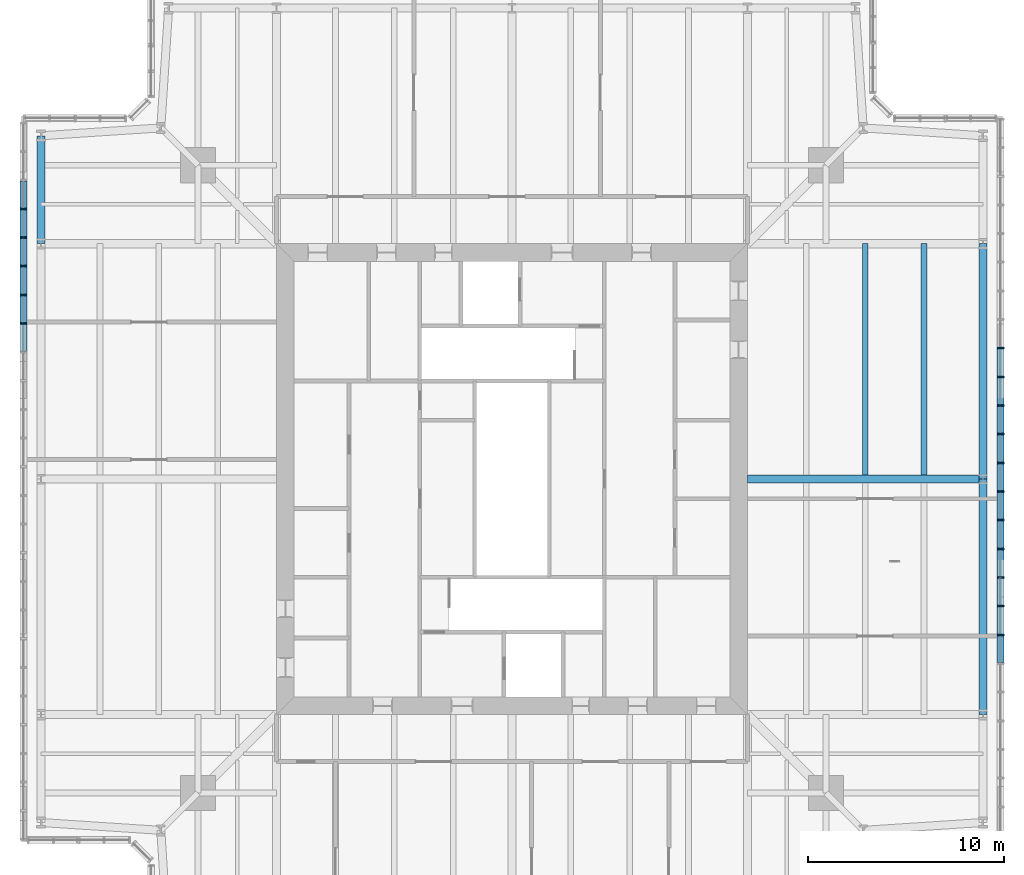
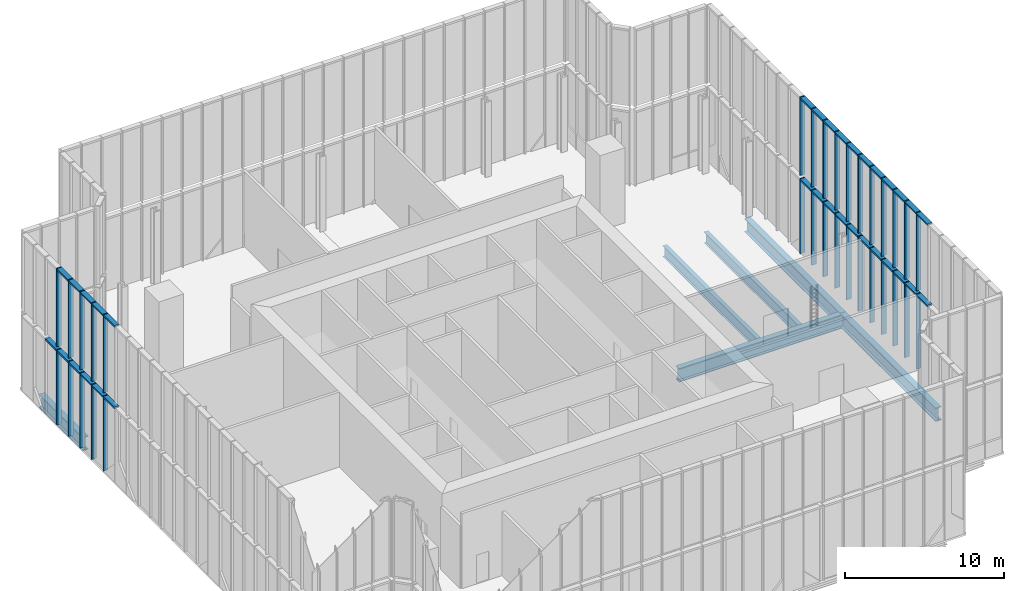
# One storey, part 7 of 25: 65 members, 6 beams, 4 elements without a shape of their own.
"""IFC4 building model written with IfcOpenShell, lengths in metres."""

from ifc_helpers import new_model, si_unit, direction, frame, origin, origin_2d, place, context, subcontext, project, spatial, rectangle, i_section, extrude, material, material_profile, profile_set, type_object, element, aggregate, save


model = new_model("IFC4")

# Units and contexts
model_context = context("Model", 3, precision=1e-05, world=origin(), true_north=direction((0.0, 1.0)))
body_context = subcontext(model_context, "Body", "Model", "MODEL_VIEW")
ifc_project = project(units=[si_unit("LENGTHUNIT", "METRE"), si_unit("AREAUNIT", "SQUARE_METRE"), si_unit("VOLUMEUNIT", "CUBIC_METRE"), si_unit("PLANEANGLEUNIT", "RADIAN"), si_unit("MASSUNIT", "GRAM", prefix="KILO")], contexts=[model_context])

# Site, building, storey
site_placement = place(None, origin())
site = spatial("IfcSite", under=ifc_project, at=site_placement, CompositionType="ELEMENT")
building_placement = place(site_placement, origin())
building = spatial("IfcBuilding", under=site, at=building_placement, Name="Fenwick Lantern Interchange", CompositionType="ELEMENT")
storey_placement = place(building_placement, frame((0.0, 0.0, 307.800048828125)))
storey = spatial("IfcBuildingStorey", under=building, at=storey_placement, Name="L74", CompositionType="ELEMENT", Elevation=307.800048828125)

# Beams
ifc_material_1 = material(Name="Steel ASTM A992 Grade 50", Category="steel")
ifc_material_profile_1 = material_profile(ifc_material_1, i_section(OverallWidth=0.408935546875, OverallDepth=1.04150390625, WebThickness=0.031005859375, FlangeThickness=0.055908203125, at=origin_2d()), Name="W40X397")
ifc_profile_set_1 = profile_set([ifc_material_profile_1], Name="Steel ASTM A992 Grade 50")
beam_type_1 = type_object("IfcBeamType", Name="EDGE BEAM W40X397", PredefinedType="SPANDREL", material=ifc_profile_set_1)
for number, where, z_axis, x_axis, name in (
    (1, (49.0, 13.0, -0.720703125), (0.0, 1.0, 0.0), (-1.0, 0.0, 0.0), "L74/FR/E/EB2"),
    (2, (49.0, 25.0, -0.720703125), (0.0, 1.0, 0.0), (-1.0, 0.0, 0.0), "L74/FR/E/EB3"),
):
    element("IfcBeam", number, at=place(storey_placement, frame(where, z_axis=z_axis, x_axis=x_axis)), inside=storey, type_object=beam_type_1, Name=name, PredefinedType="SPANDREL", context=body_context, shape_type="SweptSolid", body=[
        extrude(i_section(OverallWidth=0.408935546875, OverallDepth=1.04150390625, WebThickness=0.031005859375, FlangeThickness=0.055908203125, at=origin_2d()), origin(), (0.0, 0.0, 1.0), 12.0),
    ])
beam_1_placement = place(storey_placement, frame((1.0, 42.5, -0.720703125), z_axis=(0.0, -1.0, 0.0), x_axis=(1.0, 0.0, 0.0)))
element("IfcBeam", 3, at=beam_1_placement, inside=storey, type_object=beam_type_1, Name="L74/FR/W/EB1", PredefinedType="SPANDREL", context=body_context, shape_type="SweptSolid", body=[
    extrude(i_section(OverallWidth=0.408935546875, OverallDepth=1.04150390625, WebThickness=0.031005859375, FlangeThickness=0.055908203125, at=origin_2d()), origin(), (0.0, 0.0, 1.0), 5.5),
])
ifc_material_profile_2 = material_profile(ifc_material_1, i_section(OverallWidth=0.2919921875, OverallDepth=0.845703125, WebThickness=0.015380859375, FlangeThickness=0.0244140625, at=origin_2d()), Name="W33X141")
ifc_profile_set_2 = profile_set([ifc_material_profile_2], Name="Steel ASTM A992 Grade 50")
beam_type_2 = type_object("IfcBeamType", Name="FLOOR BEAM W33X141", PredefinedType="BEAM", material=ifc_profile_set_2)
for number, where, z_axis, x_axis, name in (
    (4, (46.0, 25.20458984375, -0.623046875), (0.0, 1.0, 0.0), (-1.0, 0.0, 0.0), "L74/FR/E/B04"),
    (5, (43.0, 25.20458984375, -0.623046875), (0.0, 1.0, 0.0), (-1.0, 0.0, 0.0), "L74/FR/E/B05"),
):
    element("IfcBeam", number, at=place(storey_placement, frame(where, z_axis=z_axis, x_axis=x_axis)), inside=storey, type_object=beam_type_2, Name=name, PredefinedType="BEAM", context=body_context, shape_type="SweptSolid", body=[
        extrude(i_section(OverallWidth=0.2919921875, OverallDepth=0.845703125, WebThickness=0.015380859375, FlangeThickness=0.0244140625, at=origin_2d()), origin(), (0.0, 0.0, 1.0), 11.79541015625),
    ])

# Curtain wall, members
ifc_material_2 = material(Name="Aluminium curtain wall frame", Category="aluminium")
curtain_wall_type = type_object("IfcCurtainWallType", Name="LANTERN GLAZING", PredefinedType="USERDEFINED", material=ifc_material_2)
curtain_wall_1_placement = place(storey_placement, origin())
curtain_wall_1 = element("IfcCurtainWall", 6, at=curtain_wall_1_placement, inside=storey, type_object=curtain_wall_type, Name="Lantern glazing 05", ObjectType="LANTERN GLAZING", PredefinedType="USERDEFINED")
ifc_material_3 = material(Name="Aluminium extrusion", Category="aluminium")
ifc_material_profile_3 = material_profile(ifc_material_3, rectangle(XDim=0.35009765625, YDim=0.080078125, at=origin_2d()), Name="LANTERN GLAZING MULLION 80 X 350")
ifc_profile_set_3 = profile_set([ifc_material_profile_3], Name="Aluminium extrusion")
member_type_1 = type_object("IfcMemberType", Name="LANTERN GLAZING MULLION 80 X 350", PredefinedType="MULLION", material=ifc_profile_set_3)
member_1_placement = place(storey_placement, frame((49.89990234375, 17.065673828125, 0.0), z_axis=(0.0, 0.0, 1.0), x_axis=(-1.0, 0.0, 0.0)))
member_1 = element("IfcMember", 7, at=member_1_placement, type_object=member_type_1, Name="L74/CW/05/M07", PredefinedType="MULLION", context=body_context, shape_type="SweptSolid", body=[
    extrude(rectangle(XDim=0.35009765625, YDim=0.080078125, at=origin_2d()), origin(), (0.0, 0.0, 1.0), 5.75),
])
member_2_placement = place(storey_placement, frame((49.89990234375, 18.5263671875, 0.0), z_axis=(0.0, 0.0, 1.0), x_axis=(-1.0, 0.0, 0.0)))
member_2 = element("IfcMember", 8, at=member_2_placement, type_object=member_type_1, Name="L74/CW/05/M08", PredefinedType="MULLION", context=body_context, shape_type="SweptSolid", body=[
    extrude(rectangle(XDim=0.35009765625, YDim=0.080078125, at=origin_2d()), origin(), (0.0, 0.0, 1.0), 5.75),
])
member_3_placement = place(storey_placement, frame((49.89990234375, 19.9873046875, 0.0), z_axis=(0.0, 0.0, 1.0), x_axis=(-1.0, 0.0, 0.0)))
member_3 = element("IfcMember", 9, at=member_3_placement, type_object=member_type_1, Name="L74/CW/05/M09", PredefinedType="MULLION", context=body_context, shape_type="SweptSolid", body=[
    extrude(rectangle(XDim=0.35009765625, YDim=0.080078125, at=origin_2d()), origin(), (0.0, 0.0, 1.0), 5.75),
])
member_4_placement = place(storey_placement, frame((49.89990234375, 21.447998046875, 0.0), z_axis=(0.0, 0.0, 1.0), x_axis=(-1.0, 0.0, 0.0)))
member_4 = element("IfcMember", 10, at=member_4_placement, type_object=member_type_1, Name="L74/CW/05/M10", PredefinedType="MULLION", context=body_context, shape_type="SweptSolid", body=[
    extrude(rectangle(XDim=0.35009765625, YDim=0.080078125, at=origin_2d()), origin(), (0.0, 0.0, 1.0), 5.75),
])
member_5_placement = place(storey_placement, frame((49.89990234375, 22.90869140625, 0.0), z_axis=(0.0, 0.0, 1.0), x_axis=(-1.0, 0.0, 0.0)))
member_5 = element("IfcMember", 11, at=member_5_placement, type_object=member_type_1, Name="L74/CW/05/M11", PredefinedType="MULLION", context=body_context, shape_type="SweptSolid", body=[
    extrude(rectangle(XDim=0.35009765625, YDim=0.080078125, at=origin_2d()), origin(), (0.0, 0.0, 1.0), 5.75),
])
member_6_placement = place(storey_placement, frame((49.89990234375, 24.36962890625, 0.0), z_axis=(0.0, 0.0, 1.0), x_axis=(-1.0, 0.0, 0.0)))
member_6 = element("IfcMember", 12, at=member_6_placement, type_object=member_type_1, Name="L74/CW/05/M12", PredefinedType="MULLION", context=body_context, shape_type="SweptSolid", body=[
    extrude(rectangle(XDim=0.35009765625, YDim=0.080078125, at=origin_2d()), origin(), (0.0, 0.0, 1.0), 5.75),
])
member_7_placement = place(storey_placement, frame((49.89990234375, 25.830322265625, 0.0), z_axis=(0.0, 0.0, 1.0), x_axis=(-1.0, 0.0, 0.0)))
member_7 = element("IfcMember", 13, at=member_7_placement, type_object=member_type_1, Name="L74/CW/05/M13", PredefinedType="MULLION", context=body_context, shape_type="SweptSolid", body=[
    extrude(rectangle(XDim=0.35009765625, YDim=0.080078125, at=origin_2d()), origin(), (0.0, 0.0, 1.0), 5.75),
])
member_8_placement = place(storey_placement, frame((49.89990234375, 27.291259765625, 0.0), z_axis=(0.0, 0.0, 1.0), x_axis=(-1.0, 0.0, 0.0)))
member_8 = element("IfcMember", 14, at=member_8_placement, type_object=member_type_1, Name="L74/CW/05/M14", PredefinedType="MULLION", context=body_context, shape_type="SweptSolid", body=[
    extrude(rectangle(XDim=0.35009765625, YDim=0.080078125, at=origin_2d()), origin(), (0.0, 0.0, 1.0), 5.75),
])
member_9_placement = place(storey_placement, frame((49.89990234375, 28.751953125, 0.0), z_axis=(0.0, 0.0, 1.0), x_axis=(-1.0, 0.0, 0.0)))
member_9 = element("IfcMember", 15, at=member_9_placement, type_object=member_type_1, Name="L74/CW/05/M15", PredefinedType="MULLION", context=body_context, shape_type="SweptSolid", body=[
    extrude(rectangle(XDim=0.35009765625, YDim=0.080078125, at=origin_2d()), origin(), (0.0, 0.0, 1.0), 5.75),
])
member_10_placement = place(storey_placement, frame((49.89990234375, 30.212890625, 0.0), z_axis=(0.0, 0.0, 1.0), x_axis=(-1.0, 0.0, 0.0)))
member_10 = element("IfcMember", 16, at=member_10_placement, type_object=member_type_1, Name="L74/CW/05/M16", PredefinedType="MULLION", context=body_context, shape_type="SweptSolid", body=[
    extrude(rectangle(XDim=0.35009765625, YDim=0.080078125, at=origin_2d()), origin(), (0.0, 0.0, 1.0), 5.75),
])
member_11_placement = place(storey_placement, frame((49.89990234375, 31.673583984375, 0.0), z_axis=(0.0, 0.0, 1.0), x_axis=(-1.0, 0.0, 0.0)))
member_11 = element("IfcMember", 17, at=member_11_placement, type_object=member_type_1, Name="L74/CW/05/M17", PredefinedType="MULLION", context=body_context, shape_type="SweptSolid", body=[
    extrude(rectangle(XDim=0.35009765625, YDim=0.080078125, at=origin_2d()), origin(), (0.0, 0.0, 1.0), 5.75),
])

curtain_wall_2_placement = place(storey_placement, origin())
curtain_wall_2 = element("IfcCurtainWall", 18, at=curtain_wall_2_placement, inside=storey, type_object=curtain_wall_type, Name="Lantern glazing 13", ObjectType="LANTERN GLAZING", PredefinedType="USERDEFINED")
member_12_placement = place(storey_placement, frame((0.10009765625, 38.777587890625, 0.0), z_axis=(0.0, 0.0, 1.0), x_axis=(1.0, 0.0, 0.0)))
member_12 = element("IfcMember", 19, at=member_12_placement, type_object=member_type_1, Name="L74/CW/13/M03", PredefinedType="MULLION", context=body_context, shape_type="SweptSolid", body=[
    extrude(rectangle(XDim=0.35009765625, YDim=0.080078125, at=origin_2d()), origin(), (0.0, 0.0, 1.0), 5.75),
])
member_13_placement = place(storey_placement, frame((0.10009765625, 37.31689453125, 0.0), z_axis=(0.0, 0.0, 1.0), x_axis=(1.0, 0.0, 0.0)))
member_13 = element("IfcMember", 20, at=member_13_placement, type_object=member_type_1, Name="L74/CW/13/M04", PredefinedType="MULLION", context=body_context, shape_type="SweptSolid", body=[
    extrude(rectangle(XDim=0.35009765625, YDim=0.080078125, at=origin_2d()), origin(), (0.0, 0.0, 1.0), 5.75),
])
member_14_placement = place(storey_placement, frame((0.10009765625, 35.85595703125, 0.0), z_axis=(0.0, 0.0, 1.0), x_axis=(1.0, 0.0, 0.0)))
member_14 = element("IfcMember", 21, at=member_14_placement, type_object=member_type_1, Name="L74/CW/13/M05", PredefinedType="MULLION", context=body_context, shape_type="SweptSolid", body=[
    extrude(rectangle(XDim=0.35009765625, YDim=0.080078125, at=origin_2d()), origin(), (0.0, 0.0, 1.0), 5.75),
])
member_15_placement = place(storey_placement, frame((0.10009765625, 34.395263671875, 0.0), z_axis=(0.0, 0.0, 1.0), x_axis=(1.0, 0.0, 0.0)))
member_15 = element("IfcMember", 22, at=member_15_placement, type_object=member_type_1, Name="L74/CW/13/M06", PredefinedType="MULLION", context=body_context, shape_type="SweptSolid", body=[
    extrude(rectangle(XDim=0.35009765625, YDim=0.080078125, at=origin_2d()), origin(), (0.0, 0.0, 1.0), 5.75),
])
member_16_placement = place(storey_placement, frame((0.10009765625, 32.934326171875, 0.0), z_axis=(0.0, 0.0, 1.0), x_axis=(1.0, 0.0, 0.0)))
member_16 = element("IfcMember", 23, at=member_16_placement, type_object=member_type_1, Name="L74/CW/13/M07", PredefinedType="MULLION", context=body_context, shape_type="SweptSolid", body=[
    extrude(rectangle(XDim=0.35009765625, YDim=0.080078125, at=origin_2d()), origin(), (0.0, 0.0, 1.0), 5.75),
])

curtain_wall_3_placement = place(storey_placement, origin())
curtain_wall_3 = element("IfcCurtainWall", 24, at=curtain_wall_3_placement, inside=storey, type_object=curtain_wall_type, Name="Lantern glazing 05", ObjectType="LANTERN GLAZING", PredefinedType="USERDEFINED")
member_17_placement = place(storey_placement, frame((49.89990234375, 17.065673828125, 6.0), z_axis=(0.0, 0.0, 1.0), x_axis=(-1.0, 0.0, 0.0)))
member_17 = element("IfcMember", 25, at=member_17_placement, type_object=member_type_1, Name="RF/LANTERN/05/M07", PredefinedType="MULLION", context=body_context, shape_type="SweptSolid", body=[
    extrude(rectangle(XDim=0.35009765625, YDim=0.080078125, at=origin_2d()), origin(), (0.0, 0.0, 1.0), 6.0),
])
member_18_placement = place(storey_placement, frame((49.89990234375, 18.5263671875, 6.0), z_axis=(0.0, 0.0, 1.0), x_axis=(-1.0, 0.0, 0.0)))
member_18 = element("IfcMember", 26, at=member_18_placement, type_object=member_type_1, Name="RF/LANTERN/05/M08", PredefinedType="MULLION", context=body_context, shape_type="SweptSolid", body=[
    extrude(rectangle(XDim=0.35009765625, YDim=0.080078125, at=origin_2d()), origin(), (0.0, 0.0, 1.0), 6.0),
])
member_19_placement = place(storey_placement, frame((49.89990234375, 19.9873046875, 6.0), z_axis=(0.0, 0.0, 1.0), x_axis=(-1.0, 0.0, 0.0)))
member_19 = element("IfcMember", 27, at=member_19_placement, type_object=member_type_1, Name="RF/LANTERN/05/M09", PredefinedType="MULLION", context=body_context, shape_type="SweptSolid", body=[
    extrude(rectangle(XDim=0.35009765625, YDim=0.080078125, at=origin_2d()), origin(), (0.0, 0.0, 1.0), 6.0),
])
member_20_placement = place(storey_placement, frame((49.89990234375, 21.447998046875, 6.0), z_axis=(0.0, 0.0, 1.0), x_axis=(-1.0, 0.0, 0.0)))
member_20 = element("IfcMember", 28, at=member_20_placement, type_object=member_type_1, Name="RF/LANTERN/05/M10", PredefinedType="MULLION", context=body_context, shape_type="SweptSolid", body=[
    extrude(rectangle(XDim=0.35009765625, YDim=0.080078125, at=origin_2d()), origin(), (0.0, 0.0, 1.0), 6.0),
])
member_21_placement = place(storey_placement, frame((49.89990234375, 22.90869140625, 6.0), z_axis=(0.0, 0.0, 1.0), x_axis=(-1.0, 0.0, 0.0)))
member_21 = element("IfcMember", 29, at=member_21_placement, type_object=member_type_1, Name="RF/LANTERN/05/M11", PredefinedType="MULLION", context=body_context, shape_type="SweptSolid", body=[
    extrude(rectangle(XDim=0.35009765625, YDim=0.080078125, at=origin_2d()), origin(), (0.0, 0.0, 1.0), 6.0),
])
member_22_placement = place(storey_placement, frame((49.89990234375, 24.36962890625, 6.0), z_axis=(0.0, 0.0, 1.0), x_axis=(-1.0, 0.0, 0.0)))
member_22 = element("IfcMember", 30, at=member_22_placement, type_object=member_type_1, Name="RF/LANTERN/05/M12", PredefinedType="MULLION", context=body_context, shape_type="SweptSolid", body=[
    extrude(rectangle(XDim=0.35009765625, YDim=0.080078125, at=origin_2d()), origin(), (0.0, 0.0, 1.0), 6.0),
])
member_23_placement = place(storey_placement, frame((49.89990234375, 25.830322265625, 6.0), z_axis=(0.0, 0.0, 1.0), x_axis=(-1.0, 0.0, 0.0)))
member_23 = element("IfcMember", 31, at=member_23_placement, type_object=member_type_1, Name="RF/LANTERN/05/M13", PredefinedType="MULLION", context=body_context, shape_type="SweptSolid", body=[
    extrude(rectangle(XDim=0.35009765625, YDim=0.080078125, at=origin_2d()), origin(), (0.0, 0.0, 1.0), 6.0),
])
member_24_placement = place(storey_placement, frame((49.89990234375, 27.291259765625, 6.0), z_axis=(0.0, 0.0, 1.0), x_axis=(-1.0, 0.0, 0.0)))
member_24 = element("IfcMember", 32, at=member_24_placement, type_object=member_type_1, Name="RF/LANTERN/05/M14", PredefinedType="MULLION", context=body_context, shape_type="SweptSolid", body=[
    extrude(rectangle(XDim=0.35009765625, YDim=0.080078125, at=origin_2d()), origin(), (0.0, 0.0, 1.0), 6.0),
])
member_25_placement = place(storey_placement, frame((49.89990234375, 28.751953125, 6.0), z_axis=(0.0, 0.0, 1.0), x_axis=(-1.0, 0.0, 0.0)))
member_25 = element("IfcMember", 33, at=member_25_placement, type_object=member_type_1, Name="RF/LANTERN/05/M15", PredefinedType="MULLION", context=body_context, shape_type="SweptSolid", body=[
    extrude(rectangle(XDim=0.35009765625, YDim=0.080078125, at=origin_2d()), origin(), (0.0, 0.0, 1.0), 6.0),
])
member_26_placement = place(storey_placement, frame((49.89990234375, 30.212890625, 6.0), z_axis=(0.0, 0.0, 1.0), x_axis=(-1.0, 0.0, 0.0)))
member_26 = element("IfcMember", 34, at=member_26_placement, type_object=member_type_1, Name="RF/LANTERN/05/M16", PredefinedType="MULLION", context=body_context, shape_type="SweptSolid", body=[
    extrude(rectangle(XDim=0.35009765625, YDim=0.080078125, at=origin_2d()), origin(), (0.0, 0.0, 1.0), 6.0),
])
member_27_placement = place(storey_placement, frame((49.89990234375, 31.673583984375, 6.0), z_axis=(0.0, 0.0, 1.0), x_axis=(-1.0, 0.0, 0.0)))
member_27 = element("IfcMember", 35, at=member_27_placement, type_object=member_type_1, Name="RF/LANTERN/05/M17", PredefinedType="MULLION", context=body_context, shape_type="SweptSolid", body=[
    extrude(rectangle(XDim=0.35009765625, YDim=0.080078125, at=origin_2d()), origin(), (0.0, 0.0, 1.0), 6.0),
])

curtain_wall_4_placement = place(storey_placement, origin())
curtain_wall_4 = element("IfcCurtainWall", 36, at=curtain_wall_4_placement, inside=storey, type_object=curtain_wall_type, Name="Lantern glazing 13", ObjectType="LANTERN GLAZING", PredefinedType="USERDEFINED")
member_28_placement = place(storey_placement, frame((0.10009765625, 38.777587890625, 6.0), z_axis=(0.0, 0.0, 1.0), x_axis=(1.0, 0.0, 0.0)))
member_28 = element("IfcMember", 37, at=member_28_placement, type_object=member_type_1, Name="RF/LANTERN/13/M03", PredefinedType="MULLION", context=body_context, shape_type="SweptSolid", body=[
    extrude(rectangle(XDim=0.35009765625, YDim=0.080078125, at=origin_2d()), origin(), (0.0, 0.0, 1.0), 6.0),
])
member_29_placement = place(storey_placement, frame((0.10009765625, 37.31689453125, 6.0), z_axis=(0.0, 0.0, 1.0), x_axis=(1.0, 0.0, 0.0)))
member_29 = element("IfcMember", 38, at=member_29_placement, type_object=member_type_1, Name="RF/LANTERN/13/M04", PredefinedType="MULLION", context=body_context, shape_type="SweptSolid", body=[
    extrude(rectangle(XDim=0.35009765625, YDim=0.080078125, at=origin_2d()), origin(), (0.0, 0.0, 1.0), 6.0),
])
member_30_placement = place(storey_placement, frame((0.10009765625, 35.85595703125, 6.0), z_axis=(0.0, 0.0, 1.0), x_axis=(1.0, 0.0, 0.0)))
member_30 = element("IfcMember", 39, at=member_30_placement, type_object=member_type_1, Name="RF/LANTERN/13/M05", PredefinedType="MULLION", context=body_context, shape_type="SweptSolid", body=[
    extrude(rectangle(XDim=0.35009765625, YDim=0.080078125, at=origin_2d()), origin(), (0.0, 0.0, 1.0), 6.0),
])
member_31_placement = place(storey_placement, frame((0.10009765625, 34.395263671875, 6.0), z_axis=(0.0, 0.0, 1.0), x_axis=(1.0, 0.0, 0.0)))
member_31 = element("IfcMember", 40, at=member_31_placement, type_object=member_type_1, Name="RF/LANTERN/13/M06", PredefinedType="MULLION", context=body_context, shape_type="SweptSolid", body=[
    extrude(rectangle(XDim=0.35009765625, YDim=0.080078125, at=origin_2d()), origin(), (0.0, 0.0, 1.0), 6.0),
])
member_32_placement = place(storey_placement, frame((0.10009765625, 32.934326171875, 6.0), z_axis=(0.0, 0.0, 1.0), x_axis=(1.0, 0.0, 0.0)))
member_32 = element("IfcMember", 41, at=member_32_placement, type_object=member_type_1, Name="RF/LANTERN/13/M07", PredefinedType="MULLION", context=body_context, shape_type="SweptSolid", body=[
    extrude(rectangle(XDim=0.35009765625, YDim=0.080078125, at=origin_2d()), origin(), (0.0, 0.0, 1.0), 6.0),
])

# Member
ifc_material_profile_4 = material_profile(ifc_material_3, rectangle(XDim=0.35009765625, YDim=0.139892578125, at=origin_2d()), Name="LANTERN GLAZING TRANSOM 140 X 350")
ifc_profile_set_4 = profile_set([ifc_material_profile_4], Name="Aluminium extrusion")
member_type_2 = type_object("IfcMemberType", Name="LANTERN GLAZING TRANSOM 140 X 350", PredefinedType="MULLION", material=ifc_profile_set_4)
member_33_placement = place(storey_placement, frame((49.89990234375, 15.644775390625, 5.679931640625), z_axis=(0.0, 1.0, 0.0), x_axis=(-1.0, 0.0, 0.0)))
member_33 = element("IfcMember", 42, at=member_33_placement, type_object=member_type_2, Name="L74/CW/05/T06", PredefinedType="MULLION", context=body_context, shape_type="SweptSolid", body=[
    extrude(rectangle(XDim=0.35009765625, YDim=0.139892578125, at=origin_2d()), origin(), (0.0, 0.0, 1.0), 1.380859375),
])

member_34_placement = place(storey_placement, frame((49.89990234375, 17.105712890625, 5.679931640625), z_axis=(0.0, 1.0, 0.0), x_axis=(-1.0, 0.0, 0.0)))
member_34 = element("IfcMember", 43, at=member_34_placement, type_object=member_type_2, Name="L74/CW/05/T07", PredefinedType="MULLION", context=body_context, shape_type="SweptSolid", body=[
    extrude(rectangle(XDim=0.35009765625, YDim=0.139892578125, at=origin_2d()), origin(), (0.0, 0.0, 1.0), 1.380615234375),
])

member_35_placement = place(storey_placement, frame((49.89990234375, 18.56640625, 5.679931640625), z_axis=(0.0, 1.0, 0.0), x_axis=(-1.0, 0.0, 0.0)))
member_35 = element("IfcMember", 44, at=member_35_placement, type_object=member_type_2, Name="L74/CW/05/T08", PredefinedType="MULLION", context=body_context, shape_type="SweptSolid", body=[
    extrude(rectangle(XDim=0.35009765625, YDim=0.139892578125, at=origin_2d()), origin(), (0.0, 0.0, 1.0), 1.380859375),
])

member_36_placement = place(storey_placement, frame((49.89990234375, 20.027099609375, 5.679931640625), z_axis=(0.0, 1.0, 0.0), x_axis=(-1.0, 0.0, 0.0)))
member_36 = element("IfcMember", 45, at=member_36_placement, type_object=member_type_2, Name="L74/CW/05/T09", PredefinedType="MULLION", context=body_context, shape_type="SweptSolid", body=[
    extrude(rectangle(XDim=0.35009765625, YDim=0.139892578125, at=origin_2d()), origin(), (0.0, 0.0, 1.0), 1.380859375),
])

member_37_placement = place(storey_placement, frame((49.89990234375, 21.488037109375, 5.679931640625), z_axis=(0.0, 1.0, 0.0), x_axis=(-1.0, 0.0, 0.0)))
member_37 = element("IfcMember", 46, at=member_37_placement, type_object=member_type_2, Name="L74/CW/05/T10", PredefinedType="MULLION", context=body_context, shape_type="SweptSolid", body=[
    extrude(rectangle(XDim=0.35009765625, YDim=0.139892578125, at=origin_2d()), origin(), (0.0, 0.0, 1.0), 1.380859375),
])

member_38_placement = place(storey_placement, frame((49.89990234375, 22.94873046875, 5.679931640625), z_axis=(0.0, 1.0, 0.0), x_axis=(-1.0, 0.0, 0.0)))
member_38 = element("IfcMember", 47, at=member_38_placement, type_object=member_type_2, Name="L74/CW/05/T11", PredefinedType="MULLION", context=body_context, shape_type="SweptSolid", body=[
    extrude(rectangle(XDim=0.35009765625, YDim=0.139892578125, at=origin_2d()), origin(), (0.0, 0.0, 1.0), 1.380859375),
])

member_39_placement = place(storey_placement, frame((49.89990234375, 24.40966796875, 5.679931640625), z_axis=(0.0, 1.0, 0.0), x_axis=(-1.0, 0.0, 0.0)))
member_39 = element("IfcMember", 48, at=member_39_placement, type_object=member_type_2, Name="L74/CW/05/T12", PredefinedType="MULLION", context=body_context, shape_type="SweptSolid", body=[
    extrude(rectangle(XDim=0.35009765625, YDim=0.139892578125, at=origin_2d()), origin(), (0.0, 0.0, 1.0), 1.380615234375),
])

member_40_placement = place(storey_placement, frame((49.89990234375, 25.870361328125, 5.679931640625), z_axis=(0.0, 1.0, 0.0), x_axis=(-1.0, 0.0, 0.0)))
member_40 = element("IfcMember", 49, at=member_40_placement, type_object=member_type_2, Name="L74/CW/05/T13", PredefinedType="MULLION", context=body_context, shape_type="SweptSolid", body=[
    extrude(rectangle(XDim=0.35009765625, YDim=0.139892578125, at=origin_2d()), origin(), (0.0, 0.0, 1.0), 1.380859375),
])

member_41_placement = place(storey_placement, frame((49.89990234375, 27.331298828125, 5.679931640625), z_axis=(0.0, 1.0, 0.0), x_axis=(-1.0, 0.0, 0.0)))
member_41 = element("IfcMember", 50, at=member_41_placement, type_object=member_type_2, Name="L74/CW/05/T14", PredefinedType="MULLION", context=body_context, shape_type="SweptSolid", body=[
    extrude(rectangle(XDim=0.35009765625, YDim=0.139892578125, at=origin_2d()), origin(), (0.0, 0.0, 1.0), 1.380615234375),
])

member_42_placement = place(storey_placement, frame((49.89990234375, 28.7919921875, 5.679931640625), z_axis=(0.0, 1.0, 0.0), x_axis=(-1.0, 0.0, 0.0)))
member_42 = element("IfcMember", 51, at=member_42_placement, type_object=member_type_2, Name="L74/CW/05/T15", PredefinedType="MULLION", context=body_context, shape_type="SweptSolid", body=[
    extrude(rectangle(XDim=0.35009765625, YDim=0.139892578125, at=origin_2d()), origin(), (0.0, 0.0, 1.0), 1.380859375),
])

member_43_placement = place(storey_placement, frame((49.89990234375, 30.252685546875, 5.679931640625), z_axis=(0.0, 1.0, 0.0), x_axis=(-1.0, 0.0, 0.0)))
member_43 = element("IfcMember", 52, at=member_43_placement, type_object=member_type_2, Name="L74/CW/05/T16", PredefinedType="MULLION", context=body_context, shape_type="SweptSolid", body=[
    extrude(rectangle(XDim=0.35009765625, YDim=0.139892578125, at=origin_2d()), origin(), (0.0, 0.0, 1.0), 1.380859375),
])

aggregate(curtain_wall_1, [member_1, member_2, member_3, member_4, member_5, member_6, member_7, member_8, member_9, member_10, member_11, member_33, member_34, member_35, member_36, member_37, member_38, member_39, member_40, member_41, member_42, member_43])

member_44_placement = place(storey_placement, frame((0.10009765625, 40.198486328125, 5.679931640625), z_axis=(0.0, -1.0, 0.0), x_axis=(1.0, 0.0, 0.0)))
member_44 = element("IfcMember", 53, at=member_44_placement, type_object=member_type_2, Name="L74/CW/13/T02", PredefinedType="MULLION", context=body_context, shape_type="SweptSolid", body=[
    extrude(rectangle(XDim=0.35009765625, YDim=0.139892578125, at=origin_2d()), origin(), (0.0, 0.0, 1.0), 1.380859375),
])

member_45_placement = place(storey_placement, frame((0.10009765625, 38.737548828125, 5.679931640625), z_axis=(0.0, -1.0, 0.0), x_axis=(1.0, 0.0, 0.0)))
member_45 = element("IfcMember", 54, at=member_45_placement, type_object=member_type_2, Name="L74/CW/13/T03", PredefinedType="MULLION", context=body_context, shape_type="SweptSolid", body=[
    extrude(rectangle(XDim=0.35009765625, YDim=0.139892578125, at=origin_2d()), origin(), (0.0, 0.0, 1.0), 1.380859375),
])

member_46_placement = place(storey_placement, frame((0.10009765625, 37.27685546875, 5.679931640625), z_axis=(0.0, -1.0, 0.0), x_axis=(1.0, 0.0, 0.0)))
member_46 = element("IfcMember", 55, at=member_46_placement, type_object=member_type_2, Name="L74/CW/13/T04", PredefinedType="MULLION", context=body_context, shape_type="SweptSolid", body=[
    extrude(rectangle(XDim=0.35009765625, YDim=0.139892578125, at=origin_2d()), origin(), (0.0, 0.0, 1.0), 1.380859375),
])

member_47_placement = place(storey_placement, frame((0.10009765625, 35.81591796875, 5.679931640625), z_axis=(0.0, -1.0, 0.0), x_axis=(1.0, 0.0, 0.0)))
member_47 = element("IfcMember", 56, at=member_47_placement, type_object=member_type_2, Name="L74/CW/13/T05", PredefinedType="MULLION", context=body_context, shape_type="SweptSolid", body=[
    extrude(rectangle(XDim=0.35009765625, YDim=0.139892578125, at=origin_2d()), origin(), (0.0, 0.0, 1.0), 1.380615234375),
])

member_48_placement = place(storey_placement, frame((0.10009765625, 34.355224609375, 5.679931640625), z_axis=(0.0, -1.0, 0.0), x_axis=(1.0, 0.0, 0.0)))
member_48 = element("IfcMember", 57, at=member_48_placement, type_object=member_type_2, Name="L74/CW/13/T06", PredefinedType="MULLION", context=body_context, shape_type="SweptSolid", body=[
    extrude(rectangle(XDim=0.35009765625, YDim=0.139892578125, at=origin_2d()), origin(), (0.0, 0.0, 1.0), 1.380859375),
])

member_49_placement = place(storey_placement, frame((0.10009765625, 32.894287109375, 5.679931640625), z_axis=(0.0, -1.0, 0.0), x_axis=(1.0, 0.0, 0.0)))
member_49 = element("IfcMember", 58, at=member_49_placement, type_object=member_type_2, Name="L74/CW/13/T07", PredefinedType="MULLION", context=body_context, shape_type="SweptSolid", body=[
    extrude(rectangle(XDim=0.35009765625, YDim=0.139892578125, at=origin_2d()), origin(), (0.0, 0.0, 1.0), 1.380615234375),
])

aggregate(curtain_wall_2, [member_12, member_13, member_14, member_15, member_16, member_44, member_45, member_46, member_47, member_48, member_49])

member_50_placement = place(storey_placement, frame((49.89990234375, 15.644775390625, 11.929931640625), z_axis=(0.0, 1.0, 0.0), x_axis=(-1.0, 0.0, 0.0)))
member_50 = element("IfcMember", 59, at=member_50_placement, type_object=member_type_2, Name="RF/LANTERN/05/T06", PredefinedType="MULLION", context=body_context, shape_type="SweptSolid", body=[
    extrude(rectangle(XDim=0.35009765625, YDim=0.139892578125, at=origin_2d()), origin(), (0.0, 0.0, 1.0), 1.380859375),
])

member_51_placement = place(storey_placement, frame((49.89990234375, 17.105712890625, 11.929931640625), z_axis=(0.0, 1.0, 0.0), x_axis=(-1.0, 0.0, 0.0)))
member_51 = element("IfcMember", 60, at=member_51_placement, type_object=member_type_2, Name="RF/LANTERN/05/T07", PredefinedType="MULLION", context=body_context, shape_type="SweptSolid", body=[
    extrude(rectangle(XDim=0.35009765625, YDim=0.139892578125, at=origin_2d()), origin(), (0.0, 0.0, 1.0), 1.380615234375),
])

member_52_placement = place(storey_placement, frame((49.89990234375, 18.56640625, 11.929931640625), z_axis=(0.0, 1.0, 0.0), x_axis=(-1.0, 0.0, 0.0)))
member_52 = element("IfcMember", 61, at=member_52_placement, type_object=member_type_2, Name="RF/LANTERN/05/T08", PredefinedType="MULLION", context=body_context, shape_type="SweptSolid", body=[
    extrude(rectangle(XDim=0.35009765625, YDim=0.139892578125, at=origin_2d()), origin(), (0.0, 0.0, 1.0), 1.380859375),
])

member_53_placement = place(storey_placement, frame((49.89990234375, 20.027099609375, 11.929931640625), z_axis=(0.0, 1.0, 0.0), x_axis=(-1.0, 0.0, 0.0)))
member_53 = element("IfcMember", 62, at=member_53_placement, type_object=member_type_2, Name="RF/LANTERN/05/T09", PredefinedType="MULLION", context=body_context, shape_type="SweptSolid", body=[
    extrude(rectangle(XDim=0.35009765625, YDim=0.139892578125, at=origin_2d()), origin(), (0.0, 0.0, 1.0), 1.380859375),
])

member_54_placement = place(storey_placement, frame((49.89990234375, 21.488037109375, 11.929931640625), z_axis=(0.0, 1.0, 0.0), x_axis=(-1.0, 0.0, 0.0)))
member_54 = element("IfcMember", 63, at=member_54_placement, type_object=member_type_2, Name="RF/LANTERN/05/T10", PredefinedType="MULLION", context=body_context, shape_type="SweptSolid", body=[
    extrude(rectangle(XDim=0.35009765625, YDim=0.139892578125, at=origin_2d()), origin(), (0.0, 0.0, 1.0), 1.380859375),
])

member_55_placement = place(storey_placement, frame((49.89990234375, 22.94873046875, 11.929931640625), z_axis=(0.0, 1.0, 0.0), x_axis=(-1.0, 0.0, 0.0)))
member_55 = element("IfcMember", 64, at=member_55_placement, type_object=member_type_2, Name="RF/LANTERN/05/T11", PredefinedType="MULLION", context=body_context, shape_type="SweptSolid", body=[
    extrude(rectangle(XDim=0.35009765625, YDim=0.139892578125, at=origin_2d()), origin(), (0.0, 0.0, 1.0), 1.380859375),
])

member_56_placement = place(storey_placement, frame((49.89990234375, 24.40966796875, 11.929931640625), z_axis=(0.0, 1.0, 0.0), x_axis=(-1.0, 0.0, 0.0)))
member_56 = element("IfcMember", 65, at=member_56_placement, type_object=member_type_2, Name="RF/LANTERN/05/T12", PredefinedType="MULLION", context=body_context, shape_type="SweptSolid", body=[
    extrude(rectangle(XDim=0.35009765625, YDim=0.139892578125, at=origin_2d()), origin(), (0.0, 0.0, 1.0), 1.380615234375),
])

member_57_placement = place(storey_placement, frame((49.89990234375, 25.870361328125, 11.929931640625), z_axis=(0.0, 1.0, 0.0), x_axis=(-1.0, 0.0, 0.0)))
member_57 = element("IfcMember", 66, at=member_57_placement, type_object=member_type_2, Name="RF/LANTERN/05/T13", PredefinedType="MULLION", context=body_context, shape_type="SweptSolid", body=[
    extrude(rectangle(XDim=0.35009765625, YDim=0.139892578125, at=origin_2d()), origin(), (0.0, 0.0, 1.0), 1.380859375),
])

member_58_placement = place(storey_placement, frame((49.89990234375, 27.331298828125, 11.929931640625), z_axis=(0.0, 1.0, 0.0), x_axis=(-1.0, 0.0, 0.0)))
member_58 = element("IfcMember", 67, at=member_58_placement, type_object=member_type_2, Name="RF/LANTERN/05/T14", PredefinedType="MULLION", context=body_context, shape_type="SweptSolid", body=[
    extrude(rectangle(XDim=0.35009765625, YDim=0.139892578125, at=origin_2d()), origin(), (0.0, 0.0, 1.0), 1.380615234375),
])

member_59_placement = place(storey_placement, frame((49.89990234375, 28.7919921875, 11.929931640625), z_axis=(0.0, 1.0, 0.0), x_axis=(-1.0, 0.0, 0.0)))
member_59 = element("IfcMember", 68, at=member_59_placement, type_object=member_type_2, Name="RF/LANTERN/05/T15", PredefinedType="MULLION", context=body_context, shape_type="SweptSolid", body=[
    extrude(rectangle(XDim=0.35009765625, YDim=0.139892578125, at=origin_2d()), origin(), (0.0, 0.0, 1.0), 1.380859375),
])

member_60_placement = place(storey_placement, frame((49.89990234375, 30.252685546875, 11.929931640625), z_axis=(0.0, 1.0, 0.0), x_axis=(-1.0, 0.0, 0.0)))
member_60 = element("IfcMember", 69, at=member_60_placement, type_object=member_type_2, Name="RF/LANTERN/05/T16", PredefinedType="MULLION", context=body_context, shape_type="SweptSolid", body=[
    extrude(rectangle(XDim=0.35009765625, YDim=0.139892578125, at=origin_2d()), origin(), (0.0, 0.0, 1.0), 1.380859375),
])

aggregate(curtain_wall_3, [member_17, member_18, member_19, member_20, member_21, member_22, member_23, member_24, member_25, member_26, member_27, member_50, member_51, member_52, member_53, member_54, member_55, member_56, member_57, member_58, member_59, member_60])

member_61_placement = place(storey_placement, frame((0.10009765625, 38.737548828125, 11.929931640625), z_axis=(0.0, -1.0, 0.0), x_axis=(1.0, 0.0, 0.0)))
member_61 = element("IfcMember", 70, at=member_61_placement, type_object=member_type_2, Name="RF/LANTERN/13/T03", PredefinedType="MULLION", context=body_context, shape_type="SweptSolid", body=[
    extrude(rectangle(XDim=0.35009765625, YDim=0.139892578125, at=origin_2d()), origin(), (0.0, 0.0, 1.0), 1.380859375),
])

member_62_placement = place(storey_placement, frame((0.10009765625, 37.27685546875, 11.929931640625), z_axis=(0.0, -1.0, 0.0), x_axis=(1.0, 0.0, 0.0)))
member_62 = element("IfcMember", 71, at=member_62_placement, type_object=member_type_2, Name="RF/LANTERN/13/T04", PredefinedType="MULLION", context=body_context, shape_type="SweptSolid", body=[
    extrude(rectangle(XDim=0.35009765625, YDim=0.139892578125, at=origin_2d()), origin(), (0.0, 0.0, 1.0), 1.380859375),
])

member_63_placement = place(storey_placement, frame((0.10009765625, 35.81591796875, 11.929931640625), z_axis=(0.0, -1.0, 0.0), x_axis=(1.0, 0.0, 0.0)))
member_63 = element("IfcMember", 72, at=member_63_placement, type_object=member_type_2, Name="RF/LANTERN/13/T05", PredefinedType="MULLION", context=body_context, shape_type="SweptSolid", body=[
    extrude(rectangle(XDim=0.35009765625, YDim=0.139892578125, at=origin_2d()), origin(), (0.0, 0.0, 1.0), 1.380615234375),
])

member_64_placement = place(storey_placement, frame((0.10009765625, 34.355224609375, 11.929931640625), z_axis=(0.0, -1.0, 0.0), x_axis=(1.0, 0.0, 0.0)))
member_64 = element("IfcMember", 73, at=member_64_placement, type_object=member_type_2, Name="RF/LANTERN/13/T06", PredefinedType="MULLION", context=body_context, shape_type="SweptSolid", body=[
    extrude(rectangle(XDim=0.35009765625, YDim=0.139892578125, at=origin_2d()), origin(), (0.0, 0.0, 1.0), 1.380859375),
])

member_65_placement = place(storey_placement, frame((0.10009765625, 32.894287109375, 11.929931640625), z_axis=(0.0, -1.0, 0.0), x_axis=(1.0, 0.0, 0.0)))
member_65 = element("IfcMember", 74, at=member_65_placement, type_object=member_type_2, Name="RF/LANTERN/13/T07", PredefinedType="MULLION", context=body_context, shape_type="SweptSolid", body=[
    extrude(rectangle(XDim=0.35009765625, YDim=0.139892578125, at=origin_2d()), origin(), (0.0, 0.0, 1.0), 1.380615234375),
])

aggregate(curtain_wall_4, [member_28, member_29, member_30, member_31, member_32, member_61, member_62, member_63, member_64, member_65])

# Beam
ifc_material_profile_5 = material_profile(ifc_material_1, i_section(OverallWidth=0.408935546875, OverallDepth=1.04150390625, WebThickness=0.031005859375, FlangeThickness=0.055908203125, at=origin_2d()), Name="W40X397")
ifc_profile_set_5 = profile_set([ifc_material_profile_5], Name="Steel ASTM A992 Grade 50")
beam_type_3 = type_object("IfcBeamType", Name="MOMENT-CONNECTED GIRDER W40X397", PredefinedType="BEAM", material=ifc_profile_set_5)
beam_2_placement = place(storey_placement, frame((49.0, 25.0, -0.720703125), z_axis=(-1.0, 0.0, 0.0), x_axis=(0.0, -1.0, 0.0)))
element("IfcBeam", 75, at=beam_2_placement, inside=storey, type_object=beam_type_3, Name="L74/FR/E/R02", PredefinedType="BEAM", context=body_context, shape_type="SweptSolid", body=[
    extrude(i_section(OverallWidth=0.408935546875, OverallDepth=1.04150390625, WebThickness=0.031005859375, FlangeThickness=0.055908203125, at=origin_2d()), origin(), (0.0, 0.0, 1.0), 12.0),
])

save(model, "model.ifc")
